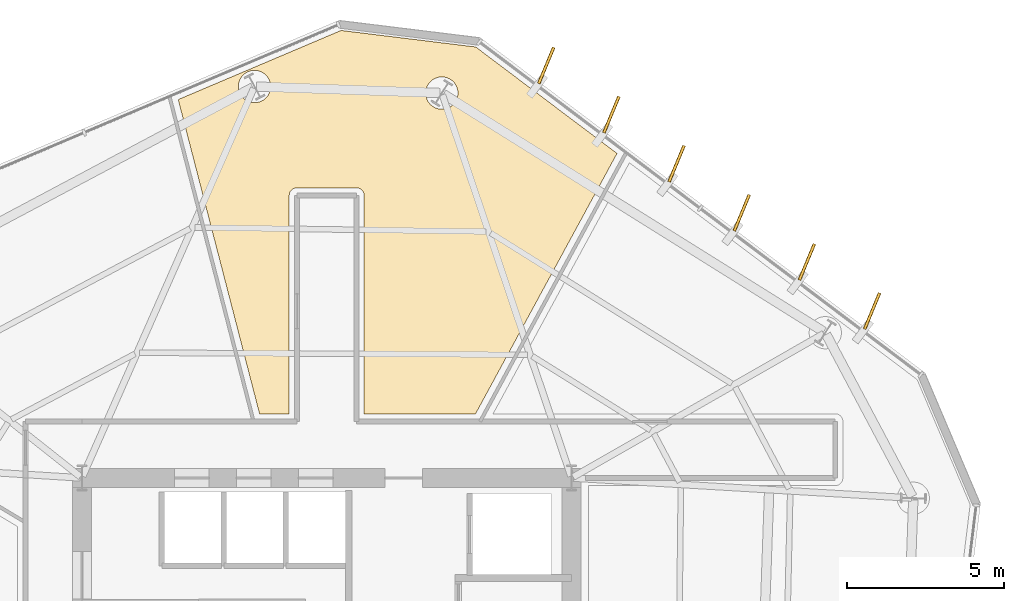
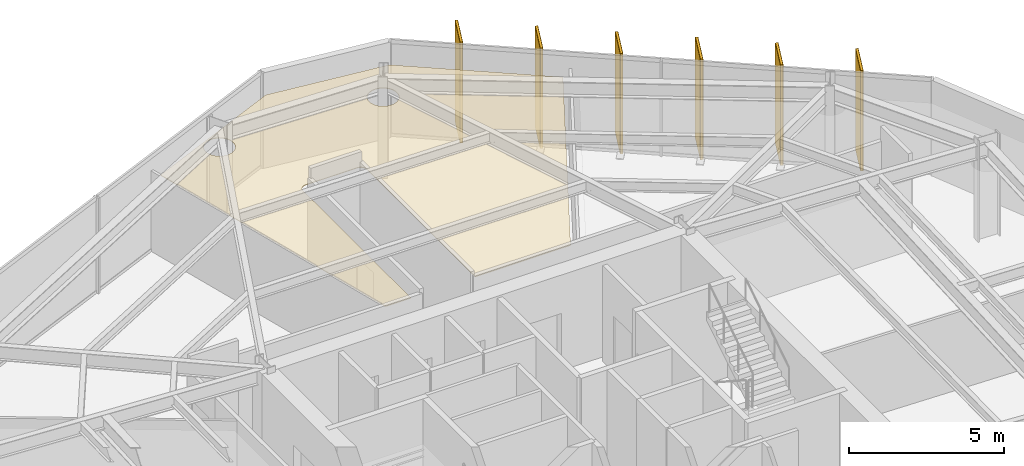
# One storey, part 11 of 11: 7 coverings, 6 shading devices.
"""IFC4 building model written with IfcOpenShell, lengths in metres."""

import ifcopenshell
import ifcopenshell.guid

model = None  # the IFC model being written
_history = None  # IfcOwnerHistory: only IFC2X3 demands one
_inside = {}  # id of a spatial element -> (the spatial element, [elements in it])
_under = {}  # id of a project, library or spatial element -> (it, [spatial elements below it])
_declared = {}  # id of a project -> (the project, [libraries it declares])
_typed = {}  # id of a type object -> (the type object, [elements of that type])
_made_of = {}  # id of a material, layer set ... -> (it, [elements and type objects made of it])


def new_model(schema):
    """Start an empty IFC model of exactly this schema.

    Asked for "IFC4X3", IfcOpenShell would pick the latest addendum, in which some entities
    have other attributes; the version numbers below select the first issue.
    IFC2X3 requires an IfcOwnerHistory on every rooted entity: one is made here for all.
    """
    global model, _history
    if schema == "IFC4X3":
        model = ifcopenshell.file(schema_version=(4, 3, 0, 0))
    else:
        model = ifcopenshell.file(schema=schema)
    _inside.clear()
    _under.clear()
    _declared.clear()
    _typed.clear()
    _made_of.clear()
    _history = None
    if model.schema == "IFC2X3":
        org = make("IfcOrganization", Name="unknown")
        user = make(
            "IfcPersonAndOrganization",
            ThePerson=make("IfcPerson", FamilyName="unknown"),
            TheOrganization=org,
        )
        app = make(
            "IfcApplication",
            ApplicationDeveloper=org,
            Version="unknown",
            ApplicationFullName="unknown",
            ApplicationIdentifier="unknown",
        )
        _history = make(
            "IfcOwnerHistory",
            OwningUser=user,
            OwningApplication=app,
            ChangeAction="ADDED",
            CreationDate=0,
        )
    return model


def make(cls, **values):
    """One entity of the class cls with the attributes given. An attribute that is None is left unset."""
    return model.create_entity(
        cls, **{name: value for name, value in values.items() if value is not None}
    )


def rooted(cls, **values):
    """An entity with a GlobalId (a new one), such as an element, a storey or a relation."""
    return make(cls, GlobalId=ifcopenshell.guid.new(), OwnerHistory=_history, **values)


def si_unit(unit_type, name, prefix=None):
    """IfcSIUnit, for example si_unit("LENGTHUNIT", "METRE", prefix="MILLI")."""
    return make("IfcSIUnit", UnitType=unit_type, Prefix=prefix, Name=name)


def assignment(units):
    """IfcUnitAssignment: the units of a project."""
    return None if units is None else make("IfcUnitAssignment", Units=units)


def point(xyz):
    """IfcCartesianPoint."""
    return None if xyz is None else make("IfcCartesianPoint", Coordinates=xyz)


def direction(xyz):
    """IfcDirection."""
    return None if xyz is None else make("IfcDirection", DirectionRatios=xyz)


def frame(location, z_axis=None, x_axis=None):
    """IfcAxis2Placement3D, a coordinate frame: its origin and axes. An axis left out is left unset."""
    return make(
        "IfcAxis2Placement3D",
        Location=point(location),
        Axis=direction(z_axis),
        RefDirection=direction(x_axis),
    )


def frame_2d(location, x_axis=None):
    """IfcAxis2Placement2D, a coordinate frame in the plane: its origin and x axis."""
    return make(
        "IfcAxis2Placement2D", Location=point(location), RefDirection=direction(x_axis)
    )


def origin():
    """The frame at (0, 0, 0) with its axes left unset."""
    return frame((0.0, 0.0, 0.0))


def origin_2d():
    """The frame at (0, 0) in the plane with its x axis left unset."""
    return frame_2d((0.0, 0.0))


def place(relative_to, where):
    """IfcLocalPlacement: puts the frame where relative to a parent placement (None: the world)."""
    return make(
        "IfcLocalPlacement", PlacementRelTo=relative_to, RelativePlacement=where
    )


def context(
    kind, dimensions, precision=None, world=None, true_north=None, identifier=None
):
    """IfcGeometricRepresentationContext, for example the 3D "Model" context."""
    return make(
        "IfcGeometricRepresentationContext",
        ContextIdentifier=identifier,
        ContextType=kind,
        CoordinateSpaceDimension=dimensions,
        Precision=precision,
        WorldCoordinateSystem=world,
        TrueNorth=true_north,
    )


def subcontext(parent, identifier, kind, view, scale=None):
    """IfcGeometricRepresentationSubContext, for example "Body" below "Model"."""
    return make(
        "IfcGeometricRepresentationSubContext",
        ContextIdentifier=identifier,
        ContextType=kind,
        ParentContext=parent,
        TargetScale=scale,
        TargetView=view,
    )


def project(units=None, contexts=None):
    """IfcProject with its units and contexts."""
    return rooted(
        "IfcProject",
        Name="project",
        RepresentationContexts=contexts,
        UnitsInContext=assignment(units),
    )


def spatial(cls, under=None, at=None, **own):
    """A site, building, storey or space (cls), placed at a placement, below another one or the project."""
    s = rooted(cls, ObjectPlacement=at, **own)
    if under is not None:
        _under.setdefault(under.id(), (under, []))[1].append(s)
    return s


def polyline(points):
    """IfcPolyline through the points."""
    return make("IfcPolyline", Points=[point(p) for p in points])


def profile(cls, at=None, kind="AREA", **sizes):
    """A parametric profile (cls). Its sizes go by their IFC names, for example OverallWidth=200.0."""
    return make(cls, ProfileType=kind, Position=at, **sizes)


def rectangle(**sizes):
    """IfcRectangleProfileDef."""
    return profile("IfcRectangleProfileDef", **sizes)


def outline(outer, holes=None, kind="AREA"):
    """IfcArbitraryClosedProfileDef: a profile drawn as a closed curve; with holes, ...WithVoids."""
    if holes is None:
        return make("IfcArbitraryClosedProfileDef", ProfileType=kind, OuterCurve=outer)
    return make(
        "IfcArbitraryProfileDefWithVoids",
        ProfileType=kind,
        OuterCurve=outer,
        InnerCurves=holes,
    )


def extrude(swept, where, along, depth):
    """IfcExtrudedAreaSolid: the profile swept, set in the frame where, extruded along a direction by depth."""
    return make(
        "IfcExtrudedAreaSolid",
        SweptArea=swept,
        Position=where,
        ExtrudedDirection=direction(along),
        Depth=depth,
    )


def shape(context_of_items, identifier, shape_type, items):
    """IfcShapeRepresentation: the items that make up one representation, for example the "Body"."""
    return make(
        "IfcShapeRepresentation",
        ContextOfItems=context_of_items,
        RepresentationIdentifier=identifier,
        RepresentationType=shape_type,
        Items=items,
    )


def material(Name=None, Category=None):
    """IfcMaterial."""
    return make("IfcMaterial", Name=Name, Category=Category)


def layer(
    of_material, thickness, ventilated=None, Name=None, Category=None, Priority=None
):
    """IfcMaterialLayer: one layer of a wall or slab, of a material (None: an air gap)."""
    return make(
        "IfcMaterialLayer",
        Material=of_material,
        LayerThickness=thickness,
        IsVentilated=ventilated,
        Name=Name,
        Category=Category,
        Priority=Priority,
    )


def layer_set(layers, Name=None):
    """IfcMaterialLayerSet."""
    return make("IfcMaterialLayerSet", MaterialLayers=layers, LayerSetName=Name)


def made_of(thing, what):
    """Note that an element or type object is made of a material, layer set ...; save() writes the relation."""
    if what is not None:
        _made_of.setdefault(what.id(), (what, []))[1].append(thing)
    return thing


def type_object(cls, material=None, **own):
    """A type object (cls), such as IfcWallType, which elements share."""
    return made_of(rooted(cls, **own), material)


def element(
    cls,
    number,
    at=None,
    inside=None,
    cuts=None,
    type_object=None,
    material=None,
    context=None,
    identifier="Body",
    shape_type=None,
    held_by="IfcProductDefinitionShape",
    body=None,
    shapes=None,
    **own,
):
    """One element of the class cls, such as IfcWall. Its Tag is "e" and its number.

    at: its placement. inside: the storey or other place that contains it. cuts: it is an
    opening in that element (IfcRelVoidsElement). A single representation is given by context,
    identifier, shape_type and body (its items); several are given by shapes. held_by: the class
    of the entity that holds the representations. save() writes the other relations.
    """
    e = rooted(cls, Tag="e%d" % number, ObjectPlacement=at, **own)
    if body is not None:
        shapes = [shape(context, identifier, shape_type, body)]
    if shapes is not None:
        e.Representation = make(held_by, Representations=shapes)
    if inside is not None:
        _inside.setdefault(inside.id(), (inside, []))[1].append(e)
    if cuts is not None:
        rooted(
            "IfcRelVoidsElement", RelatingBuildingElement=cuts, RelatedOpeningElement=e
        )
    if type_object is not None:
        _typed.setdefault(type_object.id(), (type_object, []))[1].append(e)
    return made_of(e, material)


def aggregate(whole, parts):
    """IfcRelAggregates: a whole, such as a stair, and the parts it consists of."""
    return rooted("IfcRelAggregates", RelatingObject=whole, RelatedObjects=parts)


def save(model, path):
    """Write the relations noted so far, then the file.

    IfcRelAggregates (storeys below a building ...), IfcRelContainedInSpatialStructure (elements
    in a storey), IfcRelDefinesByType, IfcRelAssociatesMaterial and IfcRelDeclares: one each for
    every whole, place, type object, material and project.
    """
    for whole, parts in _under.values():
        aggregate(whole, parts)
    for where, things in _inside.values():
        rooted(
            "IfcRelContainedInSpatialStructure",
            RelatedElements=things,
            RelatingStructure=where,
        )
    for kind, things in _typed.values():
        rooted("IfcRelDefinesByType", RelatedObjects=things, RelatingType=kind)
    for what, things in _made_of.values():
        rooted("IfcRelAssociatesMaterial", RelatedObjects=things, RelatingMaterial=what)
    for by, libraries in _declared.values():
        rooted("IfcRelDeclares", RelatingContext=by, RelatedDefinitions=libraries)
    model.write(path)


model = new_model("IFC4")

# Units and contexts
model_context = context("Model", 3, precision=1e-05, world=origin(), true_north=direction((0.0, 1.0)))
body_context = subcontext(model_context, "Body", "Model", "MODEL_VIEW")
ifc_project = project(units=[si_unit("LENGTHUNIT", "METRE"), si_unit("AREAUNIT", "SQUARE_METRE"), si_unit("VOLUMEUNIT", "CUBIC_METRE"), si_unit("PLANEANGLEUNIT", "RADIAN"), si_unit("MASSUNIT", "GRAM", prefix="KILO")], contexts=[model_context])

# Site, building, storey
site_placement = place(None, origin())
site = spatial("IfcSite", under=ifc_project, at=site_placement, CompositionType="ELEMENT")
building_placement = place(site_placement, origin())
building = spatial("IfcBuilding", under=site, at=building_placement, Name="Kranzbogen Civic Tower", CompositionType="ELEMENT")
storey_placement = place(building_placement, frame((0.0, 0.0, 114.39990234375)))
storey = spatial("IfcBuildingStorey", under=building, at=storey_placement, Name="L27", CompositionType="ELEMENT", Elevation=114.39990234375)

# Coverings
ifc_material_1 = material(Name="Pale Anodised Aluminium", Category="aluminium")
ifc_layer_1 = layer(ifc_material_1, 0.02490234375, Name="Pale Anodised Aluminium")
ifc_layer_set_1 = layer_set([ifc_layer_1], Name="Pale Anodised Aluminium")
covering_type_1 = type_object("IfcCoveringType", Name="Anodised Aluminium Vertical Fin Cladding 25 mm", PredefinedType="CLADDING", material=ifc_layer_set_1)
for number, where, z_axis, x_axis, name in (
    (1, (42.376953125, 37.51904296875, -0.139892578125), (0.0, 0.0, 1.0), (0.383231606105, 0.923652280938, 0.0), "L27 vertical fin pale-metal cladding F1-1"),
    (2, (40.300048828125, 39.0830078125, -0.139892578125), (0.0, 0.0, 1.0), (0.383231606105, 0.923652280938, 0.0), "L27 vertical fin pale-metal cladding F1-2"),
    (3, (38.22412109375, 40.64794921875, -0.139892578125), (0.0, 0.0, 1.0), (0.383231606105, 0.923652280938, 0.0), "L27 vertical fin pale-metal cladding F1-3"),
    (4, (36.14697265625, 42.212890625, -0.139892578125), (0.0, 0.0, 1.0), (0.383231606105, 0.923652280938, 0.0), "L27 vertical fin pale-metal cladding F1-4"),
    (5, (34.071044921875, 43.777099609375, -0.139892578125), (0.0, 0.0, 1.0), (0.383231606105, 0.923652280938, 0.0), "L27 vertical fin pale-metal cladding F1-5"),
    (6, (31.993896484375, 45.342041015625, -0.139892578125), (0.0, 0.0, 1.0), (0.383231606105, 0.923652280938, 0.0), "L27 vertical fin pale-metal cladding F1-6"),
):
    element("IfcCovering", number, at=place(storey_placement, frame(where, z_axis=z_axis, x_axis=x_axis)), inside=storey, type_object=covering_type_1, Name=name, PredefinedType="CLADDING", context=body_context, shape_type="SweptSolid", body=[
        extrude(rectangle(XDim=1.25, YDim=0.10009765625, at=origin_2d()), origin(), (0.0, 0.0, 1.0), 3.9599609375),
    ])

# Shading devices
ifc_material_2 = material(Name="Anodised Bronze Aluminium", Category="aluminium")
shading_device_type = type_object("IfcShadingDeviceType", Name="Anodised Bronze Vertical Facade Fin 1250x80", PredefinedType="USERDEFINED", material=ifc_material_2)
for number, where, z_axis, x_axis, name in (
    (7, (42.376953125, 37.51904296875, -0.139892578125), (0.0, 0.0, 1.0), (0.383231606105, 0.923652280938, 0.0), "L27 vertical exterior shading fin F1-1"),
    (8, (40.300048828125, 39.0830078125, -0.139892578125), (0.0, 0.0, 1.0), (0.383231606105, 0.923652280938, 0.0), "L27 vertical exterior shading fin F1-2"),
    (9, (38.22412109375, 40.64794921875, -0.139892578125), (0.0, 0.0, 1.0), (0.383231606105, 0.923652280938, 0.0), "L27 vertical exterior shading fin F1-3"),
    (10, (36.14697265625, 42.212890625, -0.139892578125), (0.0, 0.0, 1.0), (0.383231606105, 0.923652280938, 0.0), "L27 vertical exterior shading fin F1-4"),
    (11, (34.071044921875, 43.777099609375, -0.139892578125), (0.0, 0.0, 1.0), (0.383231606105, 0.923652280938, 0.0), "L27 vertical exterior shading fin F1-5"),
    (12, (31.993896484375, 45.342041015625, -0.139892578125), (0.0, 0.0, 1.0), (0.383231606105, 0.923652280938, 0.0), "L27 vertical exterior shading fin F1-6"),
):
    element("IfcShadingDevice", number, at=place(storey_placement, frame(where, z_axis=z_axis, x_axis=x_axis)), inside=storey, type_object=shading_device_type, Name=name, ObjectType="FIN", PredefinedType="USERDEFINED", context=body_context, shape_type="SweptSolid", body=[
        extrude(rectangle(XDim=1.25, YDim=0.080078125, at=origin_2d()), origin(), (0.0, 0.0, 1.0), 3.9599609375),
    ])

# Covering
ifc_material_3 = material(Name="Perforated Acoustic Gypsum Ceiling")
ifc_layer_2 = layer(ifc_material_3, 0.02490234375, Name="Perforated Acoustic Gypsum Ceiling")
ifc_layer_set_2 = layer_set([ifc_layer_2], Name="Perforated Acoustic Gypsum Ceiling")
covering_type_2 = type_object("IfcCoveringType", Name="Perforated Acoustic Mineral Ceiling Tile 25 mm", PredefinedType="CEILING", material=ifc_layer_set_2)
covering_placement = place(storey_placement, frame((0.0, 0.0, 2.900146484375)))
element("IfcCovering", 13, at=covering_placement, inside=storey, type_object=covering_type_2, Name="L27 Executive Research Study acoustic ceiling", PredefinedType="CEILING", context=body_context, shape_type="SweptSolid", body=[
    extrude(outline(polyline([(29.7490234375, 45.931884765625), (34.25, 42.541015625), (29.742919921875, 34.2451171875), (26.195068359375, 34.2451171875), (26.195068359375, 41.199951171875), (26.195068359375, 41.208984375), (26.194091796875, 41.215087890625), (26.193115234375, 41.23291015625), (26.19189453125, 41.239013671875), (26.18798828125, 41.256103515625), (26.18701171875, 41.262939453125), (26.181884765625, 41.280029296875), (26.179931640625, 41.285888671875), (26.173095703125, 41.302001953125), (26.169921875, 41.30810546875), (26.162109375, 41.322998046875), (26.157958984375, 41.3291015625), (26.14892578125, 41.343017578125), (26.14501953125, 41.347900390625), (26.134033203125, 41.362060546875), (26.12890625, 41.366943359375), (26.116943359375, 41.37890625), (26.112060546875, 41.384033203125), (26.097900390625, 41.39501953125), (26.093017578125, 41.39892578125), (26.0791015625, 41.407958984375), (26.072998046875, 41.412109375), (26.05810546875, 41.419921875), (26.052001953125, 41.423095703125), (26.035888671875, 41.429931640625), (26.030029296875, 41.431884765625), (26.012939453125, 41.43701171875), (26.006103515625, 41.43798828125), (25.989013671875, 41.44189453125), (25.98291015625, 41.443115234375), (25.965087890625, 41.444091796875), (25.958984375, 41.445068359375), (25.949951171875, 41.445068359375), (24.050048828125, 41.445068359375), (24.041015625, 41.445068359375), (24.034912109375, 41.444091796875), (24.01708984375, 41.443115234375), (24.010986328125, 41.44189453125), (23.993896484375, 41.43798828125), (23.987060546875, 41.43701171875), (23.969970703125, 41.431884765625), (23.964111328125, 41.429931640625), (23.947998046875, 41.423095703125), (23.94189453125, 41.419921875), (23.927001953125, 41.412109375), (23.9208984375, 41.407958984375), (23.906982421875, 41.39892578125), (23.902099609375, 41.39501953125), (23.887939453125, 41.384033203125), (23.883056640625, 41.37890625), (23.87109375, 41.366943359375), (23.865966796875, 41.362060546875), (23.85498046875, 41.347900390625), (23.85107421875, 41.343017578125), (23.842041015625, 41.3291015625), (23.837890625, 41.322998046875), (23.830078125, 41.30810546875), (23.826904296875, 41.302001953125), (23.820068359375, 41.285888671875), (23.818115234375, 41.280029296875), (23.81298828125, 41.262939453125), (23.81201171875, 41.256103515625), (23.80810546875, 41.239013671875), (23.806884765625, 41.23291015625), (23.805908203125, 41.215087890625), (23.804931640625, 41.208984375), (23.804931640625, 41.199951171875), (23.804931640625, 34.2451171875), (22.860107421875, 34.2451171875), (20.26806640625, 44.257080078125), (25.4560546875, 46.458984375), (29.7490234375, 45.931884765625)]), holes=[polyline([(23.174072265625, 44.47509765625), (23.153076171875, 44.429931640625), (23.126953125, 44.385986328125), (23.096923828125, 44.345947265625), (23.06298828125, 44.30810546875), (23.02490234375, 44.27392578125), (22.985107421875, 44.243896484375), (22.94091796875, 44.218017578125), (22.89599609375, 44.197021484375), (22.847900390625, 44.179931640625), (22.799072265625, 44.16796875), (22.7490234375, 44.159912109375), (22.698974609375, 44.157958984375), (22.64892578125, 44.159912109375), (22.59912109375, 44.16796875), (22.550048828125, 44.179931640625), (22.501953125, 44.197021484375), (22.45703125, 44.218017578125), (22.4130859375, 44.243896484375), (22.373046875, 44.27392578125), (22.3349609375, 44.30810546875), (22.301025390625, 44.345947265625), (22.27099609375, 44.385986328125), (22.2451171875, 44.429931640625), (22.22412109375, 44.47509765625), (22.20703125, 44.52294921875), (22.195068359375, 44.572021484375), (22.18701171875, 44.6220703125), (22.18505859375, 44.672119140625), (22.18701171875, 44.721923828125), (22.195068359375, 44.77197265625), (22.20703125, 44.821044921875), (22.22412109375, 44.868896484375), (22.2451171875, 44.9140625), (22.27099609375, 44.9580078125), (22.301025390625, 44.998046875), (22.3349609375, 45.035888671875), (22.373046875, 45.070068359375), (22.4130859375, 45.10009765625), (22.45703125, 45.1259765625), (22.501953125, 45.14697265625), (22.550048828125, 45.1640625), (22.59912109375, 45.176025390625), (22.64892578125, 45.18408203125), (22.698974609375, 45.18603515625), (22.7490234375, 45.18408203125), (22.799072265625, 45.176025390625), (22.847900390625, 45.1640625), (22.89599609375, 45.14697265625), (22.94091796875, 45.1259765625), (22.985107421875, 45.10009765625), (23.02490234375, 45.070068359375), (23.06298828125, 45.035888671875), (23.096923828125, 44.998046875), (23.126953125, 44.9580078125), (23.153076171875, 44.9140625), (23.174072265625, 44.868896484375), (23.19091796875, 44.821044921875), (23.202880859375, 44.77197265625), (23.2109375, 44.721923828125), (23.212890625, 44.672119140625), (23.2109375, 44.6220703125), (23.202880859375, 44.572021484375), (23.19091796875, 44.52294921875), (23.174072265625, 44.47509765625)]), polyline([(29.14306640625, 44.26708984375), (29.1220703125, 44.221923828125), (29.095947265625, 44.177978515625), (29.06591796875, 44.137939453125), (29.031982421875, 44.10009765625), (28.993896484375, 44.06591796875), (28.9541015625, 44.035888671875), (28.909912109375, 44.010009765625), (28.864990234375, 43.989013671875), (28.81689453125, 43.971923828125), (28.76806640625, 43.9599609375), (28.718017578125, 43.951904296875), (28.66796875, 43.949951171875), (28.617919921875, 43.951904296875), (28.568115234375, 43.9599609375), (28.51904296875, 43.971923828125), (28.470947265625, 43.989013671875), (28.426025390625, 44.010009765625), (28.382080078125, 44.035888671875), (28.342041015625, 44.06591796875), (28.303955078125, 44.10009765625), (28.27001953125, 44.137939453125), (28.239990234375, 44.177978515625), (28.214111328125, 44.221923828125), (28.193115234375, 44.26708984375), (28.176025390625, 44.31494140625), (28.1640625, 44.364013671875), (28.156005859375, 44.4140625), (28.154052734375, 44.464111328125), (28.156005859375, 44.513916015625), (28.1640625, 44.56396484375), (28.176025390625, 44.613037109375), (28.193115234375, 44.660888671875), (28.214111328125, 44.7060546875), (28.239990234375, 44.75), (28.27001953125, 44.7900390625), (28.303955078125, 44.827880859375), (28.342041015625, 44.862060546875), (28.382080078125, 44.89208984375), (28.426025390625, 44.91796875), (28.470947265625, 44.93896484375), (28.51904296875, 44.9560546875), (28.568115234375, 44.968017578125), (28.617919921875, 44.97607421875), (28.66796875, 44.97802734375), (28.718017578125, 44.97607421875), (28.76806640625, 44.968017578125), (28.81689453125, 44.9560546875), (28.864990234375, 44.93896484375), (28.909912109375, 44.91796875), (28.9541015625, 44.89208984375), (28.993896484375, 44.862060546875), (29.031982421875, 44.827880859375), (29.06591796875, 44.7900390625), (29.095947265625, 44.75), (29.1220703125, 44.7060546875), (29.14306640625, 44.660888671875), (29.159912109375, 44.613037109375), (29.172119140625, 44.56396484375), (29.179931640625, 44.513916015625), (29.181884765625, 44.464111328125), (29.179931640625, 44.4140625), (29.172119140625, 44.364013671875), (29.159912109375, 44.31494140625), (29.14306640625, 44.26708984375)])]), origin(), (0.0, 0.0, 1.0), 0.02490234375),
])

save(model, "model.ifc")
